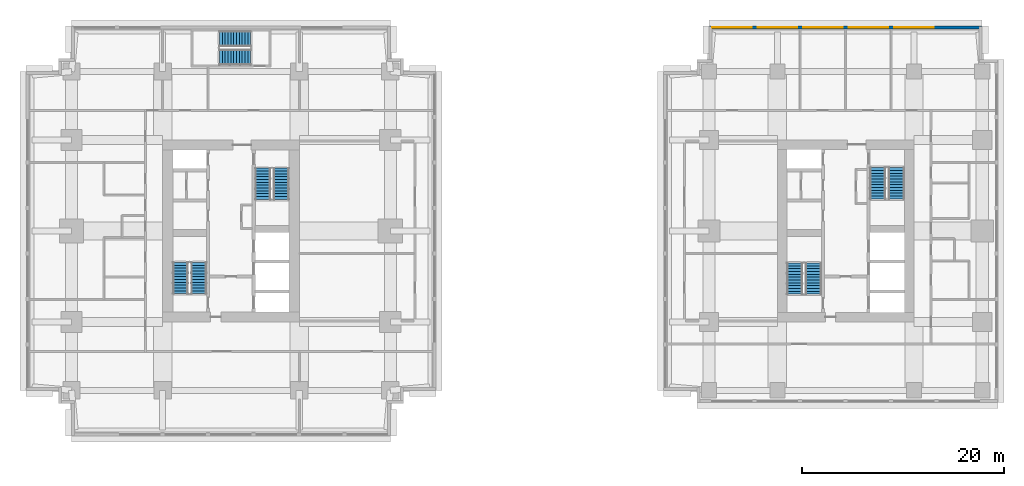
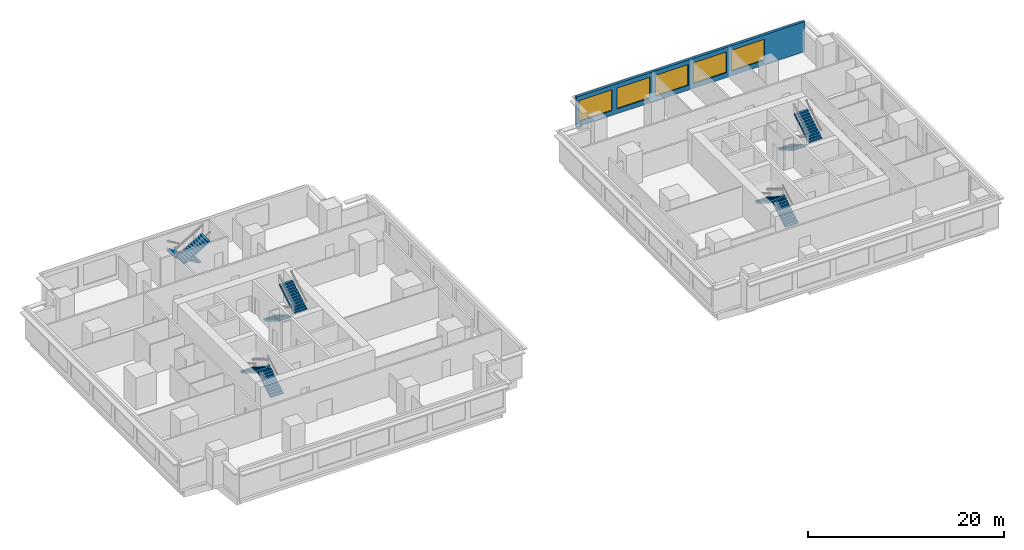
# One storey, part 8 of 10: 10 stair flights, 5 windows, 1 wall, 5 openings, 5 elements without a shape of their own.
"""IFC4 building model written with IfcOpenShell, lengths in metres."""

from ifc_helpers import new_model, si_unit, direction, frame, frame_2d, origin, place, context, subcontext, project, spatial, polyline, rectangle, outline, extrude, material, layer, layer_set, type_object, element, fill, aggregate, save


model = new_model("IFC4")

# Units and contexts
model_context = context("Model", 3, precision=1e-05, world=origin(), true_north=direction((0.0, 1.0)))
body_context = subcontext(model_context, "Body", "Model", "MODEL_VIEW")
ifc_project = project(units=[si_unit("LENGTHUNIT", "METRE"), si_unit("AREAUNIT", "SQUARE_METRE"), si_unit("VOLUMEUNIT", "CUBIC_METRE"), si_unit("PLANEANGLEUNIT", "RADIAN"), si_unit("MASSUNIT", "GRAM", prefix="KILO")], contexts=[model_context])

# Site, building, storey
site_placement = place(None, origin())
site = spatial("IfcSite", under=ifc_project, at=site_placement, CompositionType="ELEMENT")
building_placement = place(site_placement, origin())
building = spatial("IfcBuilding", under=site, at=building_placement, Name="Namib Vertical Campus", CompositionType="ELEMENT")
storey_placement = place(building_placement, frame((0.0, 0.0, 161.0)))
storey = spatial("IfcBuildingStorey", under=building, at=storey_placement, Name="L38", CompositionType="ELEMENT", Elevation=161.0)

# Wall, openings, windows
ifc_material_1 = material(Name="Concrete C40/50", Category="concrete")
ifc_layer = layer(ifc_material_1, 0.300048828125)
ifc_layer_set = layer_set([ifc_layer], Name="Concrete C40/50")
wall_type = type_object("IfcWallType", Name="External wall 300 board-marked concrete", PredefinedType="STANDARD", material=ifc_layer_set)
wall_placement = place(storey_placement, frame((94.47998046875, 40.35009765625, 0.0), z_axis=(0.0, 0.0, 1.0), x_axis=(-1.0, 0.0, 0.0)))
wall = element("IfcWall", 1, at=wall_placement, inside=storey, type_object=wall_type, Name="External wall L38 F07", PredefinedType="STANDARD", context=body_context, shape_type="SweptSolid", body=[
    extrude(rectangle(XDim=26.9599609375, YDim=0.300048828125, at=frame_2d((13.47998046875, 0.0))), origin(), (0.0, 0.0, 1.0), 3.75),
])
opening_1_placement = place(wall_placement, frame((22.780029296875, 0.0, 0.60009765625)))
opening_1 = element("IfcOpeningElement", 2, at=opening_1_placement, cuts=wall, Name="Opening W2", PredefinedType="OPENING", context=body_context, shape_type="SweptSolid", body=[
    extrude(rectangle(XDim=3.89990234375, YDim=2.60009765625, at=frame_2d((1.949951171875, 1.300048828125))), frame((0.0, 0.159912109375, 0.0), z_axis=(0.0, -1.0, 0.0), x_axis=(1.0, 0.0, 0.0)), (0.0, 0.0, 1.0), 0.320068359375),
])
opening_2_placement = place(wall_placement, frame((18.280029296875, 0.0, 0.60009765625)))
opening_2 = element("IfcOpeningElement", 3, at=opening_2_placement, cuts=wall, Name="Opening W2", PredefinedType="OPENING", context=body_context, shape_type="SweptSolid", body=[
    extrude(rectangle(XDim=3.89990234375, YDim=2.60009765625, at=frame_2d((1.949951171875, 1.300048828125))), frame((0.0, 0.159912109375, 0.0), z_axis=(0.0, -1.0, 0.0), x_axis=(1.0, 0.0, 0.0)), (0.0, 0.0, 1.0), 0.320068359375),
])
opening_3_placement = place(wall_placement, frame((13.780029296875, 0.0, 0.60009765625)))
opening_3 = element("IfcOpeningElement", 4, at=opening_3_placement, cuts=wall, Name="Opening W2", PredefinedType="OPENING", context=body_context, shape_type="SweptSolid", body=[
    extrude(rectangle(XDim=3.89990234375, YDim=2.60009765625, at=frame_2d((1.949951171875, 1.300048828125))), frame((0.0, 0.159912109375, 0.0), z_axis=(0.0, -1.0, 0.0), x_axis=(1.0, 0.0, 0.0)), (0.0, 0.0, 1.0), 0.320068359375),
])
opening_4_placement = place(wall_placement, frame((9.280029296875, 0.0, 0.60009765625)))
opening_4 = element("IfcOpeningElement", 5, at=opening_4_placement, cuts=wall, Name="Opening W2", PredefinedType="OPENING", context=body_context, shape_type="SweptSolid", body=[
    extrude(rectangle(XDim=3.89990234375, YDim=2.60009765625, at=frame_2d((1.949951171875, 1.300048828125))), frame((0.0, 0.159912109375, 0.0), z_axis=(0.0, -1.0, 0.0), x_axis=(1.0, 0.0, 0.0)), (0.0, 0.0, 1.0), 0.320068359375),
])
opening_5_placement = place(wall_placement, frame((4.780029296875, 0.0, 0.60009765625)))
opening_5 = element("IfcOpeningElement", 6, at=opening_5_placement, cuts=wall, Name="Opening W2", PredefinedType="OPENING", context=body_context, shape_type="SweptSolid", body=[
    extrude(rectangle(XDim=3.89990234375, YDim=2.60009765625, at=frame_2d((1.949951171875, 1.300048828125))), frame((0.0, 0.159912109375, 0.0), z_axis=(0.0, -1.0, 0.0), x_axis=(1.0, 0.0, 0.0)), (0.0, 0.0, 1.0), 0.320068359375),
])
ifc_material_2 = material(Name="Dark tinted glass in black aluminium frame", Category="aluminium")
window_type = type_object("IfcWindowType", Name="Ribbon window 3900x2600", PartitioningType="SINGLE_PANEL", PredefinedType="WINDOW", material=ifc_material_2)
window_1_placement = place(opening_1_placement, origin())
window_1 = element("IfcWindow", 7, at=window_1_placement, inside=storey, type_object=window_type, Name="Window W2 L38 F07-1", OverallHeight=2.60009765625, OverallWidth=3.89990234375, PartitioningType="SINGLE_PANEL", PredefinedType="WINDOW", context=body_context, shape_type="SweptSolid", body=[
    extrude(rectangle(XDim=3.89990234375, YDim=2.60009765625, at=frame_2d((1.949951171875, 1.300048828125))), frame((0.0, 0.030029296875, 0.0), z_axis=(0.0, -1.0, 0.0), x_axis=(1.0, 0.0, 0.0)), (0.0, 0.0, 1.0), 0.06005859375),
])
fill(opening_1, window_1)
window_2_placement = place(opening_2_placement, origin())
window_2 = element("IfcWindow", 8, at=window_2_placement, inside=storey, type_object=window_type, Name="Window W2 L38 F07-2", OverallHeight=2.60009765625, OverallWidth=3.89990234375, PartitioningType="SINGLE_PANEL", PredefinedType="WINDOW", context=body_context, shape_type="SweptSolid", body=[
    extrude(rectangle(XDim=3.89990234375, YDim=2.60009765625, at=frame_2d((1.949951171875, 1.300048828125))), frame((0.0, 0.030029296875, 0.0), z_axis=(0.0, -1.0, 0.0), x_axis=(1.0, 0.0, 0.0)), (0.0, 0.0, 1.0), 0.06005859375),
])
fill(opening_2, window_2)
window_3_placement = place(opening_3_placement, origin())
window_3 = element("IfcWindow", 9, at=window_3_placement, inside=storey, type_object=window_type, Name="Window W2 L38 F07-3", OverallHeight=2.60009765625, OverallWidth=3.89990234375, PartitioningType="SINGLE_PANEL", PredefinedType="WINDOW", context=body_context, shape_type="SweptSolid", body=[
    extrude(rectangle(XDim=3.89990234375, YDim=2.60009765625, at=frame_2d((1.949951171875, 1.300048828125))), frame((0.0, 0.030029296875, 0.0), z_axis=(0.0, -1.0, 0.0), x_axis=(1.0, 0.0, 0.0)), (0.0, 0.0, 1.0), 0.06005859375),
])
fill(opening_3, window_3)
window_4_placement = place(opening_4_placement, origin())
window_4 = element("IfcWindow", 10, at=window_4_placement, inside=storey, type_object=window_type, Name="Window W2 L38 F07-4", OverallHeight=2.60009765625, OverallWidth=3.89990234375, PartitioningType="SINGLE_PANEL", PredefinedType="WINDOW", context=body_context, shape_type="SweptSolid", body=[
    extrude(rectangle(XDim=3.89990234375, YDim=2.60009765625, at=frame_2d((1.949951171875, 1.300048828125))), frame((0.0, 0.030029296875, 0.0), z_axis=(0.0, -1.0, 0.0), x_axis=(1.0, 0.0, 0.0)), (0.0, 0.0, 1.0), 0.06005859375),
])
fill(opening_4, window_4)
window_5_placement = place(opening_5_placement, origin())
window_5 = element("IfcWindow", 11, at=window_5_placement, inside=storey, type_object=window_type, Name="Window W2 L38 F07-5", OverallHeight=2.60009765625, OverallWidth=3.89990234375, PartitioningType="SINGLE_PANEL", PredefinedType="WINDOW", context=body_context, shape_type="SweptSolid", body=[
    extrude(rectangle(XDim=3.89990234375, YDim=2.60009765625, at=frame_2d((1.949951171875, 1.300048828125))), frame((0.0, 0.030029296875, 0.0), z_axis=(0.0, -1.0, 0.0), x_axis=(1.0, 0.0, 0.0)), (0.0, 0.0, 1.0), 0.06005859375),
])
fill(opening_5, window_5)

# Stair, stair flights
ifc_material_3 = material(Name="Concrete C40/50 precast", Category="concrete")
stair_type_1 = type_object("IfcStairType", Name="Exit stair 4000 rise 24 risers 3350 wide", PredefinedType="HALF_TURN_STAIR", material=ifc_material_3)
stair_1_placement = place(storey_placement, origin())
stair_1 = element("IfcStair", 12, at=stair_1_placement, inside=storey, type_object=stair_type_1, Name="Exit stair A-S1 L38", PredefinedType="HALF_TURN_STAIR")
ifc_material_4 = material(Name="Concrete C40/50 precast", Category="concrete")
stair_flight_type_1 = type_object("IfcStairFlightType", Name="Stair flight 12 risers 167 1525 wide", PredefinedType="STRAIGHT", material=ifc_material_4)
stair_flight_1_placement = place(storey_placement, frame((17.08740234375, 14.050048828125, 0.0), z_axis=(0.0, 0.0, 1.0), x_axis=(0.0, 1.0, 0.0)))
stair_flight_1 = element("IfcStairFlight", 13, at=stair_flight_1_placement, type_object=stair_flight_type_1, Name="A-S1 flight 1", NumberOfRisers=12, NumberOfTreads=11, PredefinedType="STRAIGHT", RiserHeight=0.166666667, TreadLength=0.28, context=body_context, shape_type="SweptSolid", body=[
    extrude(outline(polyline([(0.0, 0.0), (0.0, 0.166748046875), (0.280029296875, 0.166748046875), (0.280029296875, 0.333251953125), (0.56005859375, 0.333251953125), (0.56005859375, 0.5), (0.840087890625, 0.5), (0.840087890625, 0.666748046875), (1.1201171875, 0.666748046875), (1.1201171875, 0.833251953125), (1.39990234375, 0.833251953125), (1.39990234375, 1.0), (1.679931640625, 1.0), (1.679931640625, 1.166748046875), (1.9599609375, 1.166748046875), (1.9599609375, 1.333251953125), (2.239990234375, 1.333251953125), (2.239990234375, 1.5), (2.52001953125, 1.5), (2.52001953125, 1.666748046875), (2.800048828125, 1.666748046875), (2.800048828125, 1.833251953125), (3.080078125, 1.833251953125), (3.080078125, 2.0), (3.080078125, 1.658935546875), (0.29296875, 0.0), (0.0, 0.0)])), frame((0.0, 0.762451171875, 0.0), z_axis=(0.0, -1.0, 0.0), x_axis=(1.0, 0.0, 0.0)), (0.0, 0.0, 1.0), 1.52490234375),
])
stair_flight_2_placement = place(storey_placement, frame((15.262451171875, 17.1298828125, 2.0), z_axis=(0.0, 0.0, 1.0), x_axis=(0.0, -1.0, 0.0)))
stair_flight_2 = element("IfcStairFlight", 14, at=stair_flight_2_placement, type_object=stair_flight_type_1, Name="A-S1 flight 2", NumberOfRisers=12, NumberOfTreads=11, PredefinedType="STRAIGHT", RiserHeight=0.166666667, TreadLength=0.28, context=body_context, shape_type="SweptSolid", body=[
    extrude(outline(polyline([(0.0, 0.0), (0.0, 0.166748046875), (0.280029296875, 0.166748046875), (0.280029296875, 0.333251953125), (0.56005859375, 0.333251953125), (0.56005859375, 0.5), (0.840087890625, 0.5), (0.840087890625, 0.666748046875), (1.1201171875, 0.666748046875), (1.1201171875, 0.833251953125), (1.39990234375, 0.833251953125), (1.39990234375, 1.0), (1.679931640625, 1.0), (1.679931640625, 1.166748046875), (1.9599609375, 1.166748046875), (1.9599609375, 1.333251953125), (2.239990234375, 1.333251953125), (2.239990234375, 1.5), (2.52001953125, 1.5), (2.52001953125, 1.666748046875), (2.800048828125, 1.666748046875), (2.800048828125, 1.833251953125), (3.080078125, 1.833251953125), (3.080078125, 2.0), (3.080078125, 1.658935546875), (0.29296875, 0.0), (0.0, 0.0)])), frame((0.0, 0.762451171875, 0.0), z_axis=(0.0, -1.0, 0.0), x_axis=(1.0, 0.0, 0.0)), (0.0, 0.0, 1.0), 1.52490234375),
])
aggregate(stair_1, [stair_flight_1, stair_flight_2])

stair_2_placement = place(storey_placement, origin())
stair_2 = element("IfcStair", 15, at=stair_2_placement, inside=storey, type_object=stair_type_1, Name="Exit stair A-S2 L38", PredefinedType="HALF_TURN_STAIR")
stair_flight_3_placement = place(storey_placement, frame((23.41259765625, 26.449951171875, 0.0), z_axis=(0.0, 0.0, 1.0), x_axis=(0.0, -1.0, 0.0)))
stair_flight_3 = element("IfcStairFlight", 16, at=stair_flight_3_placement, type_object=stair_flight_type_1, Name="A-S2 flight 1", NumberOfRisers=12, NumberOfTreads=11, PredefinedType="STRAIGHT", RiserHeight=0.166666667, TreadLength=0.28, context=body_context, shape_type="SweptSolid", body=[
    extrude(outline(polyline([(0.0, 0.0), (0.0, 0.166748046875), (0.280029296875, 0.166748046875), (0.280029296875, 0.333251953125), (0.56005859375, 0.333251953125), (0.56005859375, 0.5), (0.840087890625, 0.5), (0.840087890625, 0.666748046875), (1.1201171875, 0.666748046875), (1.1201171875, 0.833251953125), (1.39990234375, 0.833251953125), (1.39990234375, 1.0), (1.679931640625, 1.0), (1.679931640625, 1.166748046875), (1.9599609375, 1.166748046875), (1.9599609375, 1.333251953125), (2.239990234375, 1.333251953125), (2.239990234375, 1.5), (2.52001953125, 1.5), (2.52001953125, 1.666748046875), (2.800048828125, 1.666748046875), (2.800048828125, 1.833251953125), (3.080078125, 1.833251953125), (3.080078125, 2.0), (3.080078125, 1.658935546875), (0.29296875, 0.0), (0.0, 0.0)])), frame((0.0, 0.762451171875, 0.0), z_axis=(0.0, -1.0, 0.0), x_axis=(1.0, 0.0, 0.0)), (0.0, 0.0, 1.0), 1.52490234375),
])
stair_flight_4_placement = place(storey_placement, frame((25.237548828125, 23.3701171875, 2.0), z_axis=(0.0, 0.0, 1.0), x_axis=(0.0, 1.0, 0.0)))
stair_flight_4 = element("IfcStairFlight", 17, at=stair_flight_4_placement, type_object=stair_flight_type_1, Name="A-S2 flight 2", NumberOfRisers=12, NumberOfTreads=11, PredefinedType="STRAIGHT", RiserHeight=0.166666667, TreadLength=0.28, context=body_context, shape_type="SweptSolid", body=[
    extrude(outline(polyline([(0.0, 0.0), (0.0, 0.166748046875), (0.280029296875, 0.166748046875), (0.280029296875, 0.333251953125), (0.56005859375, 0.333251953125), (0.56005859375, 0.5), (0.840087890625, 0.5), (0.840087890625, 0.666748046875), (1.1201171875, 0.666748046875), (1.1201171875, 0.833251953125), (1.39990234375, 0.833251953125), (1.39990234375, 1.0), (1.679931640625, 1.0), (1.679931640625, 1.166748046875), (1.9599609375, 1.166748046875), (1.9599609375, 1.333251953125), (2.239990234375, 1.333251953125), (2.239990234375, 1.5), (2.52001953125, 1.5), (2.52001953125, 1.666748046875), (2.800048828125, 1.666748046875), (2.800048828125, 1.833251953125), (3.080078125, 1.833251953125), (3.080078125, 2.0), (3.080078125, 1.658935546875), (0.29296875, 0.0), (0.0, 0.0)])), frame((0.0, 0.762451171875, 0.0), z_axis=(0.0, -1.0, 0.0), x_axis=(1.0, 0.0, 0.0)), (0.0, 0.0, 1.0), 1.52490234375),
])
aggregate(stair_2, [stair_flight_3, stair_flight_4])

stair_3_placement = place(storey_placement, origin())
stair_3 = element("IfcStair", 18, at=stair_3_placement, inside=storey, type_object=stair_type_1, Name="Exit stair A-S3 L38", PredefinedType="HALF_TURN_STAIR")
stair_flight_5_placement = place(storey_placement, frame((22.199951171875, 39.237548828125, 0.0), z_axis=(0.0, 0.0, 1.0), x_axis=(-1.0, 0.0, 0.0)))
stair_flight_5 = element("IfcStairFlight", 19, at=stair_flight_5_placement, type_object=stair_flight_type_1, Name="A-S3 flight 1", NumberOfRisers=12, NumberOfTreads=11, PredefinedType="STRAIGHT", RiserHeight=0.166666667, TreadLength=0.28, context=body_context, shape_type="SweptSolid", body=[
    extrude(outline(polyline([(0.0, 0.0), (0.0, 0.166748046875), (0.280029296875, 0.166748046875), (0.280029296875, 0.333251953125), (0.56005859375, 0.333251953125), (0.56005859375, 0.5), (0.840087890625, 0.5), (0.840087890625, 0.666748046875), (1.1201171875, 0.666748046875), (1.1201171875, 0.833251953125), (1.39990234375, 0.833251953125), (1.39990234375, 1.0), (1.679931640625, 1.0), (1.679931640625, 1.166748046875), (1.9599609375, 1.166748046875), (1.9599609375, 1.333251953125), (2.239990234375, 1.333251953125), (2.239990234375, 1.5), (2.52001953125, 1.5), (2.52001953125, 1.666748046875), (2.800048828125, 1.666748046875), (2.800048828125, 1.833251953125), (3.080078125, 1.833251953125), (3.080078125, 2.0), (3.080078125, 1.658935546875), (0.29296875, 0.0), (0.0, 0.0)])), frame((0.0, 0.762451171875, 0.0), z_axis=(0.0, -1.0, 0.0), x_axis=(1.0, 0.0, 0.0)), (0.0, 0.0, 1.0), 1.52490234375),
])
stair_flight_6_placement = place(storey_placement, frame((19.1201171875, 37.41259765625, 2.0), z_axis=(0.0, 0.0, 1.0), x_axis=(1.0, 0.0, 0.0)))
stair_flight_6 = element("IfcStairFlight", 20, at=stair_flight_6_placement, type_object=stair_flight_type_1, Name="A-S3 flight 2", NumberOfRisers=12, NumberOfTreads=11, PredefinedType="STRAIGHT", RiserHeight=0.166666667, TreadLength=0.28, context=body_context, shape_type="SweptSolid", body=[
    extrude(outline(polyline([(0.0, 0.0), (0.0, 0.166748046875), (0.280029296875, 0.166748046875), (0.280029296875, 0.333251953125), (0.56005859375, 0.333251953125), (0.56005859375, 0.5), (0.840087890625, 0.5), (0.840087890625, 0.666748046875), (1.1201171875, 0.666748046875), (1.1201171875, 0.833251953125), (1.39990234375, 0.833251953125), (1.39990234375, 1.0), (1.679931640625, 1.0), (1.679931640625, 1.166748046875), (1.9599609375, 1.166748046875), (1.9599609375, 1.333251953125), (2.239990234375, 1.333251953125), (2.239990234375, 1.5), (2.52001953125, 1.5), (2.52001953125, 1.666748046875), (2.800048828125, 1.666748046875), (2.800048828125, 1.833251953125), (3.080078125, 1.833251953125), (3.080078125, 2.0), (3.080078125, 1.658935546875), (0.29296875, 0.0), (0.0, 0.0)])), frame((0.0, 0.762451171875, 0.0), z_axis=(0.0, -1.0, 0.0), x_axis=(1.0, 0.0, 0.0)), (0.0, 0.0, 1.0), 1.52490234375),
])
aggregate(stair_3, [stair_flight_5, stair_flight_6])

ifc_material_5 = material(Name="Concrete C40/50 precast", Category="concrete")
stair_type_2 = type_object("IfcStairType", Name="Exit stair 4000 rise 24 risers 3400 wide", PredefinedType="HALF_TURN_STAIR", material=ifc_material_5)
stair_4_placement = place(storey_placement, origin())
stair_4 = element("IfcStair", 21, at=stair_4_placement, inside=storey, type_object=stair_type_2, Name="Exit stair B-S1 L38", PredefinedType="HALF_TURN_STAIR")
ifc_material_6 = material(Name="Concrete C40/50 precast", Category="concrete")
stair_flight_type_2 = type_object("IfcStairFlightType", Name="Stair flight 12 risers 167 1550 wide", PredefinedType="STRAIGHT", material=ifc_material_6)
stair_flight_7_placement = place(storey_placement, frame((77.824951171875, 14.0, 0.0), z_axis=(0.0, 0.0, 1.0), x_axis=(0.0, 1.0, 0.0)))
stair_flight_7 = element("IfcStairFlight", 22, at=stair_flight_7_placement, type_object=stair_flight_type_2, Name="B-S1 flight 1", NumberOfRisers=12, NumberOfTreads=11, PredefinedType="STRAIGHT", RiserHeight=0.166666667, TreadLength=0.28, context=body_context, shape_type="SweptSolid", body=[
    extrude(outline(polyline([(0.0, 0.0), (0.0, 0.166748046875), (0.280029296875, 0.166748046875), (0.280029296875, 0.333251953125), (0.56005859375, 0.333251953125), (0.56005859375, 0.5), (0.840087890625, 0.5), (0.840087890625, 0.666748046875), (1.1201171875, 0.666748046875), (1.1201171875, 0.833251953125), (1.39990234375, 0.833251953125), (1.39990234375, 1.0), (1.679931640625, 1.0), (1.679931640625, 1.166748046875), (1.9599609375, 1.166748046875), (1.9599609375, 1.333251953125), (2.239990234375, 1.333251953125), (2.239990234375, 1.5), (2.52001953125, 1.5), (2.52001953125, 1.666748046875), (2.800048828125, 1.666748046875), (2.800048828125, 1.833251953125), (3.080078125, 1.833251953125), (3.080078125, 2.0), (3.080078125, 1.658935546875), (0.29296875, 0.0), (0.0, 0.0)])), frame((0.0, 0.77490234375, 0.0), z_axis=(0.0, -1.0, 0.0), x_axis=(1.0, 0.0, 0.0)), (0.0, 0.0, 1.0), 1.550048828125),
])
stair_flight_8_placement = place(storey_placement, frame((75.97509765625, 17.080078125, 2.0), z_axis=(0.0, 0.0, 1.0), x_axis=(0.0, -1.0, 0.0)))
stair_flight_8 = element("IfcStairFlight", 23, at=stair_flight_8_placement, type_object=stair_flight_type_2, Name="B-S1 flight 2", NumberOfRisers=12, NumberOfTreads=11, PredefinedType="STRAIGHT", RiserHeight=0.166666667, TreadLength=0.28, context=body_context, shape_type="SweptSolid", body=[
    extrude(outline(polyline([(0.0, 0.0), (0.0, 0.166748046875), (0.280029296875, 0.166748046875), (0.280029296875, 0.333251953125), (0.56005859375, 0.333251953125), (0.56005859375, 0.5), (0.840087890625, 0.5), (0.840087890625, 0.666748046875), (1.1201171875, 0.666748046875), (1.1201171875, 0.833251953125), (1.39990234375, 0.833251953125), (1.39990234375, 1.0), (1.679931640625, 1.0), (1.679931640625, 1.166748046875), (1.9599609375, 1.166748046875), (1.9599609375, 1.333251953125), (2.239990234375, 1.333251953125), (2.239990234375, 1.5), (2.52001953125, 1.5), (2.52001953125, 1.666748046875), (2.800048828125, 1.666748046875), (2.800048828125, 1.833251953125), (3.080078125, 1.833251953125), (3.080078125, 2.0), (3.080078125, 1.658935546875), (0.29296875, 0.0), (0.0, 0.0)])), frame((0.0, 0.77490234375, 0.0), z_axis=(0.0, -1.0, 0.0), x_axis=(1.0, 0.0, 0.0)), (0.0, 0.0, 1.0), 1.550048828125),
])
aggregate(stair_4, [stair_flight_7, stair_flight_8])

stair_5_placement = place(storey_placement, origin())
stair_5 = element("IfcStair", 24, at=stair_5_placement, inside=storey, type_object=stair_type_2, Name="Exit stair B-S2 L38", PredefinedType="HALF_TURN_STAIR")
stair_flight_9_placement = place(storey_placement, frame((84.175048828125, 26.5, 0.0), z_axis=(0.0, 0.0, 1.0), x_axis=(0.0, -1.0, 0.0)))
stair_flight_9 = element("IfcStairFlight", 25, at=stair_flight_9_placement, type_object=stair_flight_type_2, Name="B-S2 flight 1", NumberOfRisers=12, NumberOfTreads=11, PredefinedType="STRAIGHT", RiserHeight=0.166666667, TreadLength=0.28, context=body_context, shape_type="SweptSolid", body=[
    extrude(outline(polyline([(0.0, 0.0), (0.0, 0.166748046875), (0.280029296875, 0.166748046875), (0.280029296875, 0.333251953125), (0.56005859375, 0.333251953125), (0.56005859375, 0.5), (0.840087890625, 0.5), (0.840087890625, 0.666748046875), (1.1201171875, 0.666748046875), (1.1201171875, 0.833251953125), (1.39990234375, 0.833251953125), (1.39990234375, 1.0), (1.679931640625, 1.0), (1.679931640625, 1.166748046875), (1.9599609375, 1.166748046875), (1.9599609375, 1.333251953125), (2.239990234375, 1.333251953125), (2.239990234375, 1.5), (2.52001953125, 1.5), (2.52001953125, 1.666748046875), (2.800048828125, 1.666748046875), (2.800048828125, 1.833251953125), (3.080078125, 1.833251953125), (3.080078125, 2.0), (3.080078125, 1.658935546875), (0.29296875, 0.0), (0.0, 0.0)])), frame((0.0, 0.77490234375, 0.0), z_axis=(0.0, -1.0, 0.0), x_axis=(1.0, 0.0, 0.0)), (0.0, 0.0, 1.0), 1.550048828125),
])
stair_flight_10_placement = place(storey_placement, frame((86.02490234375, 23.419921875, 2.0), z_axis=(0.0, 0.0, 1.0), x_axis=(0.0, 1.0, 0.0)))
stair_flight_10 = element("IfcStairFlight", 26, at=stair_flight_10_placement, type_object=stair_flight_type_2, Name="B-S2 flight 2", NumberOfRisers=12, NumberOfTreads=11, PredefinedType="STRAIGHT", RiserHeight=0.166666667, TreadLength=0.28, context=body_context, shape_type="SweptSolid", body=[
    extrude(outline(polyline([(0.0, 0.0), (0.0, 0.166748046875), (0.280029296875, 0.166748046875), (0.280029296875, 0.333251953125), (0.56005859375, 0.333251953125), (0.56005859375, 0.5), (0.840087890625, 0.5), (0.840087890625, 0.666748046875), (1.1201171875, 0.666748046875), (1.1201171875, 0.833251953125), (1.39990234375, 0.833251953125), (1.39990234375, 1.0), (1.679931640625, 1.0), (1.679931640625, 1.166748046875), (1.9599609375, 1.166748046875), (1.9599609375, 1.333251953125), (2.239990234375, 1.333251953125), (2.239990234375, 1.5), (2.52001953125, 1.5), (2.52001953125, 1.666748046875), (2.800048828125, 1.666748046875), (2.800048828125, 1.833251953125), (3.080078125, 1.833251953125), (3.080078125, 2.0), (3.080078125, 1.658935546875), (0.29296875, 0.0), (0.0, 0.0)])), frame((0.0, 0.77490234375, 0.0), z_axis=(0.0, -1.0, 0.0), x_axis=(1.0, 0.0, 0.0)), (0.0, 0.0, 1.0), 1.550048828125),
])
aggregate(stair_5, [stair_flight_9, stair_flight_10])

save(model, "model.ifc")
